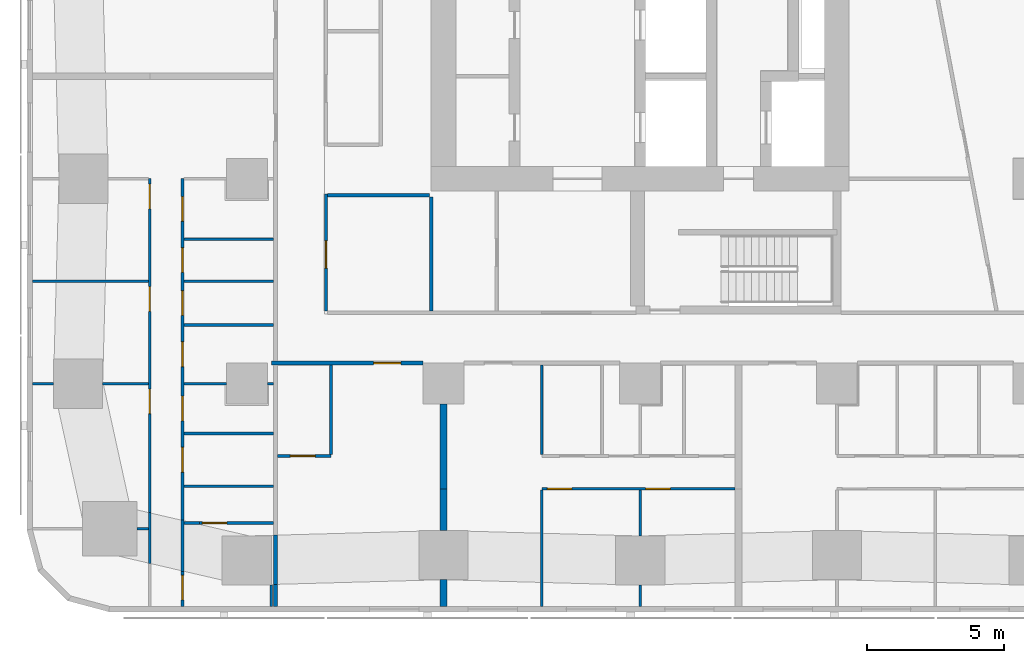
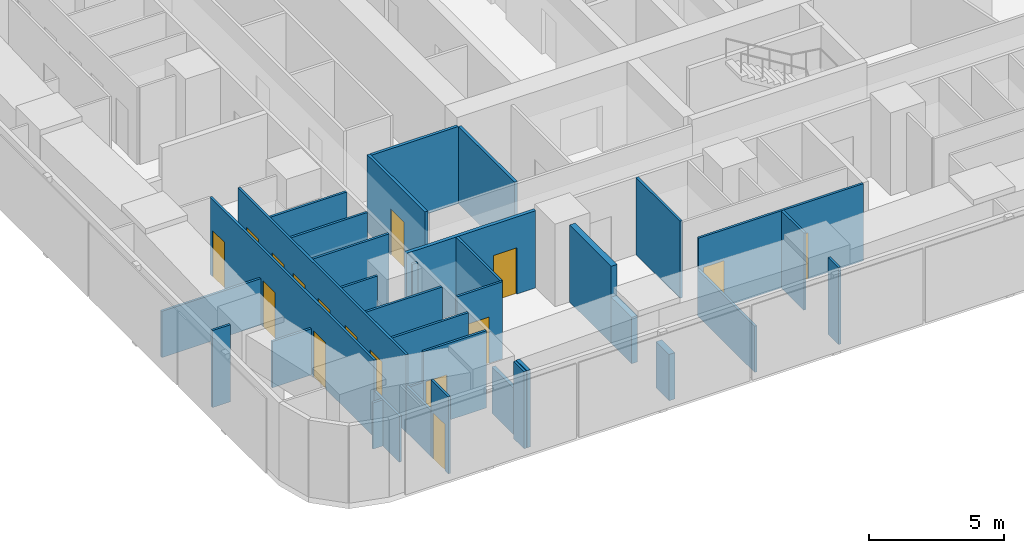
# One storey, part 2 of 15: 35 walls, 16 doors, 16 openings.
"""IFC4 building model written with IfcOpenShell, lengths in metres."""

from ifc_helpers import new_model, si_unit, direction, frame, frame_2d, origin, place, context, subcontext, project, spatial, rectangle, extrude, material, layer, layer_set, type_object, element, fill, save


model = new_model("IFC4")

# Units and contexts
model_context = context("Model", 3, precision=1e-05, world=origin(), true_north=direction((0.0, 1.0)))
body_context = subcontext(model_context, "Body", "Model", "MODEL_VIEW")
ifc_project = project(units=[si_unit("LENGTHUNIT", "METRE"), si_unit("AREAUNIT", "SQUARE_METRE"), si_unit("VOLUMEUNIT", "CUBIC_METRE"), si_unit("PLANEANGLEUNIT", "RADIAN"), si_unit("MASSUNIT", "GRAM", prefix="KILO")], contexts=[model_context])

# Site, building, storey
site_placement = place(None, origin())
site = spatial("IfcSite", under=ifc_project, at=site_placement, CompositionType="ELEMENT")
building_placement = place(site_placement, origin())
building = spatial("IfcBuilding", under=site, at=building_placement, Name="Sheger Commons Tower", CompositionType="ELEMENT")
storey_placement = place(building_placement, frame((0.0, 0.0, 147.050048828125)))
storey = spatial("IfcBuildingStorey", under=building, at=storey_placement, Name="L37", CompositionType="ELEMENT", Elevation=147.050048828125)

# Walls
ifc_material_1 = material(Name="Hollow concrete block masonry, skimmed both sides", Category="masonry")
ifc_layer_1 = layer(ifc_material_1, 0.14990234375)
ifc_layer_set_1 = layer_set([ifc_layer_1], Name="CORRIDOR WALL 150")
wall_type_1 = type_object("IfcWallType", Name="CORRIDOR WALL 150", PredefinedType="SOLIDWALL", material=ifc_layer_set_1)
wall_1_placement = place(storey_placement, frame((8.25, -0.64990234375, 0.0), z_axis=(0.0, 0.0, 1.0), x_axis=(0.0, 1.0, 0.0)))
element("IfcWall", 1, at=wall_1_placement, inside=storey, type_object=wall_type_1, Name="Corridor wall L37", PredefinedType="SOLIDWALL", context=body_context, shape_type="SweptSolid", body=[
    extrude(rectangle(XDim=0.802001953125, YDim=0.14990234375, at=frame_2d((0.40087890625, 0.0))), origin(), (0.0, 0.0, 1.0), 3.5),
])
wall_2_placement = place(storey_placement, frame((8.25, 0.152099609375, 0.0), z_axis=(0.0, 0.0, 1.0), x_axis=(0.0, 1.0, 0.0)))
element("IfcWall", 2, at=wall_2_placement, inside=storey, type_object=wall_type_1, Name="Corridor wall L37", PredefinedType="SOLIDWALL", context=body_context, shape_type="SweptSolid", body=[
    extrude(rectangle(XDim=1.804931640625, YDim=0.14990234375, at=frame_2d((0.90234375, 0.0))), origin(), (0.0, 0.0, 1.0), 2.099853515625),
])

# Wall, opening, door
wall_3_placement = place(storey_placement, frame((13.64892578125, 8.25, 0.0), z_axis=(0.0, 0.0, 1.0), x_axis=(-1.0, 0.0, 0.0)))
wall_3 = element("IfcWall", 3, at=wall_3_placement, inside=storey, type_object=wall_type_1, Name="Corridor wall L37", PredefinedType="SOLIDWALL", context=body_context, shape_type="SweptSolid", body=[
    extrude(rectangle(XDim=5.548828125, YDim=0.14990234375, at=frame_2d((2.7744140625, 0.0))), origin(), (0.0, 0.0, 1.0), 3.5),
])
opening_1_placement = place(wall_3_placement, frame((0.81005859375, 0.0, 0.0)))
opening_1 = element("IfcOpeningElement", 4, at=opening_1_placement, cuts=wall_3, Name="Opening D1", PredefinedType="OPENING", context=body_context, shape_type="SweptSolid", body=[
    extrude(rectangle(XDim=1.0, YDim=2.10009765625, at=frame_2d((0.5, 1.050048828125))), frame((0.0, 0.0849609375, 0.0), z_axis=(0.0, -1.0, 0.0), x_axis=(1.0, 0.0, 0.0)), (0.0, 0.0, 1.0), 0.169921875),
])
ifc_material_2 = material(Name="Steel door set, fire rated", Category="steel")
door_type_1 = type_object("IfcDoorType", Name="FLAT ENTRANCE DOOR 1000x2100", OperationType="NOTDEFINED", PredefinedType="DOOR", material=ifc_material_2)
door_1_placement = place(opening_1_placement, origin())
door_1 = element("IfcDoor", 5, at=door_1_placement, inside=storey, type_object=door_type_1, Name="Flat entrance door", OperationType="SINGLE_SWING_LEFT", OverallHeight=2.10009765625, OverallWidth=1.0, PredefinedType="DOOR", context=body_context, shape_type="SweptSolid", body=[
    extrude(rectangle(XDim=1.0, YDim=2.10009765625, at=frame_2d((0.5, 1.050048828125))), frame((0.0, 0.02490234375, 0.0), z_axis=(0.0, -1.0, 0.0), x_axis=(1.0, 0.0, 0.0)), (0.0, 0.0, 1.0), 0.050048828125),
])
fill(opening_1, door_1)

# Walls
ifc_material_3 = material(Name="Dense concrete block masonry, plastered both sides (separating wall between flats)", Category="masonry")
ifc_layer_2 = layer(ifc_material_3, 0.25)
ifc_layer_set_2 = layer_set([ifc_layer_2], Name="DEMISING WALL 250")
wall_type_2 = type_object("IfcWallType", Name="DEMISING WALL 250", PredefinedType="SOLIDWALL", material=ifc_layer_set_2)
wall_4_placement = place(storey_placement, frame((14.39990234375, -0.64990234375, 0.0), z_axis=(0.0, 0.0, 1.0), x_axis=(0.0, 1.0, 0.0)))
element("IfcWall", 6, at=wall_4_placement, inside=storey, type_object=wall_type_2, Name="Demising wall L37", PredefinedType="SOLIDWALL", context=body_context, shape_type="SweptSolid", body=[
    extrude(rectangle(XDim=0.973876953125, YDim=0.25, at=frame_2d((0.48681640625, 0.0))), origin(), (0.0, 0.0, 1.0), 2.099853515625),
])
wall_5_placement = place(storey_placement, frame((14.39990234375, 2.1259765625, 0.0), z_axis=(0.0, 0.0, 1.0), x_axis=(0.0, 1.0, 0.0)))
element("IfcWall", 7, at=wall_5_placement, inside=storey, type_object=wall_type_2, Name="Demising wall L37", PredefinedType="SOLIDWALL", context=body_context, shape_type="SweptSolid", body=[
    extrude(rectangle(XDim=1.52392578125, YDim=0.25, at=frame_2d((0.761962890625, 0.0))), origin(), (0.0, 0.0, 1.0), 2.099853515625),
])
wall_6_placement = place(storey_placement, frame((14.39990234375, 3.64990234375, 0.0), z_axis=(0.0, 0.0, 1.0), x_axis=(0.0, 1.0, 0.0)))
element("IfcWall", 8, at=wall_6_placement, inside=storey, type_object=wall_type_2, Name="Demising wall L37", PredefinedType="SOLIDWALL", context=body_context, shape_type="SweptSolid", body=[
    extrude(rectangle(XDim=3.09912109375, YDim=0.25, at=frame_2d((1.549560546875, 0.0))), origin(), (0.0, 0.0, 1.0), 3.5),
])
ifc_material_4 = material(Name="Gypsum board on steel studs", Category="steel")
ifc_layer_3 = layer(ifc_material_4, 0.10009765625)
ifc_layer_set_3 = layer_set([ifc_layer_3], Name="PARTITION 100")
wall_type_3 = type_object("IfcWallType", Name="PARTITION 100", PredefinedType="PARTITIONING", material=ifc_layer_set_3)
wall_7_placement = place(storey_placement, frame((8.10009765625, 0.1240234375, 0.0), z_axis=(0.0, 0.0, 1.0), x_axis=(0.0, -1.0, 0.0)))
element("IfcWall", 9, at=wall_7_placement, inside=storey, type_object=wall_type_3, Name="Partition L37", PredefinedType="PARTITIONING", context=body_context, shape_type="SweptSolid", body=[
    extrude(rectangle(XDim=0.77392578125, YDim=0.10009765625, at=frame_2d((0.386962890625, 0.0))), origin(), (0.0, 0.0, 1.0), 3.5),
])
wall_8_placement = place(storey_placement, frame((3.64990234375, 0.912109375, 0.0), z_axis=(0.0, 0.0, 1.0), x_axis=(0.0, 1.0, 0.0)))
element("IfcWall", 10, at=wall_8_placement, inside=storey, type_object=wall_type_3, Name="Partition L37", PredefinedType="PARTITIONING", context=body_context, shape_type="SweptSolid", body=[
    extrude(rectangle(XDim=1.869873046875, YDim=0.10009765625, at=frame_2d((0.93505859375, 0.0))), origin(), (0.0, 0.0, 1.0), 2.099853515625),
])

# Wall, openings, doors
wall_9_placement = place(storey_placement, frame((3.64990234375, 2.781982421875, 0.0), z_axis=(0.0, 0.0, 1.0), x_axis=(0.0, 1.0, 0.0)))
wall_9 = element("IfcWall", 11, at=wall_9_placement, inside=storey, type_object=wall_type_3, Name="Partition L37", PredefinedType="PARTITIONING", context=body_context, shape_type="SweptSolid", body=[
    extrude(rectangle(XDim=12.218017578125, YDim=0.10009765625, at=frame_2d((6.10888671875, 0.0))), origin(), (0.0, 0.0, 1.0), 3.5),
])
opening_2_placement = place(wall_9_placement, frame((11.117919921875, 0.0, 0.0)))
opening_2 = element("IfcOpeningElement", 12, at=opening_2_placement, cuts=wall_9, Name="Opening D2", PredefinedType="OPENING", context=body_context, shape_type="SweptSolid", body=[
    extrude(rectangle(XDim=0.89990234375, YDim=2.10009765625, at=frame_2d((0.449951171875, 1.050048828125))), frame((0.0, 0.06005859375, 0.0), z_axis=(0.0, -1.0, 0.0), x_axis=(1.0, 0.0, 0.0)), (0.0, 0.0, 1.0), 0.1201171875),
])
opening_3_placement = place(wall_9_placement, frame((7.367919921875, 0.0, 0.0)))
opening_3 = element("IfcOpeningElement", 13, at=opening_3_placement, cuts=wall_9, Name="Opening D2", PredefinedType="OPENING", context=body_context, shape_type="SweptSolid", body=[
    extrude(rectangle(XDim=0.89990234375, YDim=2.10009765625, at=frame_2d((0.449951171875, 1.050048828125))), frame((0.0, 0.06005859375, 0.0), z_axis=(0.0, -1.0, 0.0), x_axis=(1.0, 0.0, 0.0)), (0.0, 0.0, 1.0), 0.1201171875),
])
opening_4_placement = place(wall_9_placement, frame((3.617919921875, 0.0, 0.0)))
opening_4 = element("IfcOpeningElement", 14, at=opening_4_placement, cuts=wall_9, Name="Opening D2", PredefinedType="OPENING", context=body_context, shape_type="SweptSolid", body=[
    extrude(rectangle(XDim=0.89990234375, YDim=2.10009765625, at=frame_2d((0.449951171875, 1.050048828125))), frame((0.0, 0.06005859375, 0.0), z_axis=(0.0, -1.0, 0.0), x_axis=(1.0, 0.0, 0.0)), (0.0, 0.0, 1.0), 0.1201171875),
])
ifc_material_5 = material(Name="Timber door set", Category="wood")
door_type_2 = type_object("IfcDoorType", Name="INTERNAL DOOR 900x2100", OperationType="NOTDEFINED", PredefinedType="DOOR", material=ifc_material_5)
door_2_placement = place(opening_2_placement, origin())
door_2 = element("IfcDoor", 15, at=door_2_placement, inside=storey, type_object=door_type_2, Name="Main bedroom door", OperationType="SINGLE_SWING_RIGHT", OverallHeight=2.10009765625, OverallWidth=0.89990234375, PredefinedType="DOOR", context=body_context, shape_type="SweptSolid", body=[
    extrude(rectangle(XDim=0.89990234375, YDim=2.10009765625, at=frame_2d((0.449951171875, 1.050048828125))), frame((0.0, 0.02490234375, 0.0), z_axis=(0.0, -1.0, 0.0), x_axis=(1.0, 0.0, 0.0)), (0.0, 0.0, 1.0), 0.050048828125),
])
fill(opening_2, door_2)
door_3_placement = place(opening_3_placement, origin())
door_3 = element("IfcDoor", 16, at=door_3_placement, inside=storey, type_object=door_type_2, Name="Bedroom 2 door", OperationType="SINGLE_SWING_RIGHT", OverallHeight=2.10009765625, OverallWidth=0.89990234375, PredefinedType="DOOR", context=body_context, shape_type="SweptSolid", body=[
    extrude(rectangle(XDim=0.89990234375, YDim=2.10009765625, at=frame_2d((0.449951171875, 1.050048828125))), frame((0.0, 0.02490234375, 0.0), z_axis=(0.0, -1.0, 0.0), x_axis=(1.0, 0.0, 0.0)), (0.0, 0.0, 1.0), 0.050048828125),
])
fill(opening_3, door_3)
door_4_placement = place(opening_4_placement, origin())
door_4 = element("IfcDoor", 17, at=door_4_placement, inside=storey, type_object=door_type_2, Name="Bedroom 3 door", OperationType="SINGLE_SWING_RIGHT", OverallHeight=2.10009765625, OverallWidth=0.89990234375, PredefinedType="DOOR", context=body_context, shape_type="SweptSolid", body=[
    extrude(rectangle(XDim=0.89990234375, YDim=2.10009765625, at=frame_2d((0.449951171875, 1.050048828125))), frame((0.0, 0.02490234375, 0.0), z_axis=(0.0, -1.0, 0.0), x_axis=(1.0, 0.0, 0.0)), (0.0, 0.0, 1.0), 0.050048828125),
])
fill(opening_4, door_4)

# Wall, opening, door
wall_10_placement = place(storey_placement, frame((4.85009765625, -0.64990234375, 0.0), z_axis=(0.0, 0.0, 1.0), x_axis=(0.0, 1.0, 0.0)))
wall_10 = element("IfcWall", 18, at=wall_10_placement, inside=storey, type_object=wall_type_3, Name="Partition L37", PredefinedType="PARTITIONING", context=body_context, shape_type="SweptSolid", body=[
    extrude(rectangle(XDim=1.283935546875, YDim=0.10009765625, at=frame_2d((0.64208984375, 0.0))), origin(), (0.0, 0.0, 1.0), 3.5),
])
opening_5_placement = place(wall_10_placement, frame((0.23388671875, 0.0, 0.0)))
opening_5 = element("IfcOpeningElement", 19, at=opening_5_placement, cuts=wall_10, Name="Opening D2", PredefinedType="OPENING", context=body_context, shape_type="SweptSolid", body=[
    extrude(rectangle(XDim=0.89990234375, YDim=2.10009765625, at=frame_2d((0.449951171875, 1.050048828125))), frame((0.0, 0.06005859375, 0.0), z_axis=(0.0, -1.0, 0.0), x_axis=(1.0, 0.0, 0.0)), (0.0, 0.0, 1.0), 0.1201171875),
])
door_5_placement = place(opening_5_placement, origin())
door_5 = element("IfcDoor", 20, at=door_5_placement, inside=storey, type_object=door_type_2, Name="Store and laundry door", OperationType="SINGLE_SWING_LEFT", OverallHeight=2.10009765625, OverallWidth=0.89990234375, PredefinedType="DOOR", context=body_context, shape_type="SweptSolid", body=[
    extrude(rectangle(XDim=0.89990234375, YDim=2.10009765625, at=frame_2d((0.449951171875, 1.050048828125))), frame((0.0, 0.02490234375, 0.0), z_axis=(0.0, -1.0, 0.0), x_axis=(1.0, 0.0, 0.0)), (0.0, 0.0, 1.0), 0.050048828125),
])
fill(opening_5, door_5)

# Wall
wall_11_placement = place(storey_placement, frame((4.85009765625, 0.634033203125, 0.0), z_axis=(0.0, 0.0, 1.0), x_axis=(0.0, 1.0, 0.0)))
element("IfcWall", 21, at=wall_11_placement, inside=storey, type_object=wall_type_3, Name="Partition L37", PredefinedType="PARTITIONING", context=body_context, shape_type="SweptSolid", body=[
    extrude(rectangle(XDim=1.870849609375, YDim=0.10009765625, at=frame_2d((0.935546875, 0.0))), origin(), (0.0, 0.0, 1.0), 2.099853515625),
])

# Wall, openings, doors
wall_12_placement = place(storey_placement, frame((4.85009765625, 2.5048828125, 0.0), z_axis=(0.0, 0.0, 1.0), x_axis=(0.0, 1.0, 0.0)))
wall_12 = element("IfcWall", 22, at=wall_12_placement, inside=storey, type_object=wall_type_3, Name="Partition L37", PredefinedType="PARTITIONING", context=body_context, shape_type="SweptSolid", body=[
    extrude(rectangle(XDim=12.4951171875, YDim=0.10009765625, at=frame_2d((6.24755859375, 0.0))), origin(), (0.0, 0.0, 1.0), 3.5),
])
opening_6_placement = place(wall_12_placement, frame((10.93994140625, 0.0, 0.0)))
opening_6 = element("IfcOpeningElement", 23, at=opening_6_placement, cuts=wall_12, Name="Opening D2", PredefinedType="OPENING", context=body_context, shape_type="SweptSolid", body=[
    extrude(rectangle(XDim=0.89990234375, YDim=2.10009765625, at=frame_2d((0.449951171875, 1.050048828125))), frame((0.0, 0.06005859375, 0.0), z_axis=(0.0, -1.0, 0.0), x_axis=(1.0, 0.0, 0.0)), (0.0, 0.0, 1.0), 0.1201171875),
])
opening_7_placement = place(wall_12_placement, frame((7.4951171875, 0.0, 0.0)))
opening_7 = element("IfcOpeningElement", 24, at=opening_7_placement, cuts=wall_12, Name="Opening D2", PredefinedType="OPENING", context=body_context, shape_type="SweptSolid", body=[
    extrude(rectangle(XDim=0.89990234375, YDim=2.10009765625, at=frame_2d((0.449951171875, 1.050048828125))), frame((0.0, 0.06005859375, 0.0), z_axis=(0.0, -1.0, 0.0), x_axis=(1.0, 0.0, 0.0)), (0.0, 0.0, 1.0), 0.1201171875),
])
opening_8_placement = place(wall_12_placement, frame((3.635009765625, 0.0, 0.0)))
opening_8 = element("IfcOpeningElement", 25, at=opening_8_placement, cuts=wall_12, Name="Opening D2", PredefinedType="OPENING", context=body_context, shape_type="SweptSolid", body=[
    extrude(rectangle(XDim=0.89990234375, YDim=2.10009765625, at=frame_2d((0.449951171875, 1.050048828125))), frame((0.0, 0.06005859375, 0.0), z_axis=(0.0, -1.0, 0.0), x_axis=(1.0, 0.0, 0.0)), (0.0, 0.0, 1.0), 0.1201171875),
])
opening_9_placement = place(wall_12_placement, frame((9.06494140625, 0.0, 0.0)))
opening_9 = element("IfcOpeningElement", 26, at=opening_9_placement, cuts=wall_12, Name="Opening D2", PredefinedType="OPENING", context=body_context, shape_type="SweptSolid", body=[
    extrude(rectangle(XDim=0.89990234375, YDim=2.10009765625, at=frame_2d((0.449951171875, 1.050048828125))), frame((0.0, 0.06005859375, 0.0), z_axis=(0.0, -1.0, 0.0), x_axis=(1.0, 0.0, 0.0)), (0.0, 0.0, 1.0), 0.1201171875),
])
opening_10_placement = place(wall_12_placement, frame((5.6201171875, 0.0, 0.0)))
opening_10 = element("IfcOpeningElement", 27, at=opening_10_placement, cuts=wall_12, Name="Opening D2", PredefinedType="OPENING", context=body_context, shape_type="SweptSolid", body=[
    extrude(rectangle(XDim=0.89990234375, YDim=2.10009765625, at=frame_2d((0.449951171875, 1.050048828125))), frame((0.0, 0.06005859375, 0.0), z_axis=(0.0, -1.0, 0.0), x_axis=(1.0, 0.0, 0.0)), (0.0, 0.0, 1.0), 0.1201171875),
])
opening_11_placement = place(wall_12_placement, frame((1.760009765625, 0.0, 0.0)))
opening_11 = element("IfcOpeningElement", 28, at=opening_11_placement, cuts=wall_12, Name="Opening D2", PredefinedType="OPENING", context=body_context, shape_type="SweptSolid", body=[
    extrude(rectangle(XDim=0.89990234375, YDim=2.10009765625, at=frame_2d((0.449951171875, 1.050048828125))), frame((0.0, 0.06005859375, 0.0), z_axis=(0.0, -1.0, 0.0), x_axis=(1.0, 0.0, 0.0)), (0.0, 0.0, 1.0), 0.1201171875),
])
door_6_placement = place(opening_6_placement, origin())
door_6 = element("IfcDoor", 29, at=door_6_placement, inside=storey, type_object=door_type_2, Name="Bathroom door", OperationType="SINGLE_SWING_LEFT", OverallHeight=2.10009765625, OverallWidth=0.89990234375, PredefinedType="DOOR", context=body_context, shape_type="SweptSolid", body=[
    extrude(rectangle(XDim=0.89990234375, YDim=2.10009765625, at=frame_2d((0.449951171875, 1.050048828125))), frame((0.0, 0.02490234375, 0.0), z_axis=(0.0, -1.0, 0.0), x_axis=(1.0, 0.0, 0.0)), (0.0, 0.0, 1.0), 0.050048828125),
])
fill(opening_6, door_6)
door_7_placement = place(opening_7_placement, origin())
door_7 = element("IfcDoor", 30, at=door_7_placement, inside=storey, type_object=door_type_2, Name="Shower room door", OperationType="SINGLE_SWING_RIGHT", OverallHeight=2.10009765625, OverallWidth=0.89990234375, PredefinedType="DOOR", context=body_context, shape_type="SweptSolid", body=[
    extrude(rectangle(XDim=0.89990234375, YDim=2.10009765625, at=frame_2d((0.449951171875, 1.050048828125))), frame((0.0, 0.02490234375, 0.0), z_axis=(0.0, -1.0, 0.0), x_axis=(1.0, 0.0, 0.0)), (0.0, 0.0, 1.0), 0.050048828125),
])
fill(opening_7, door_7)
door_8_placement = place(opening_8_placement, origin())
door_8 = element("IfcDoor", 31, at=door_8_placement, inside=storey, type_object=door_type_2, Name="Laundry room door", OperationType="SINGLE_SWING_RIGHT", OverallHeight=2.10009765625, OverallWidth=0.89990234375, PredefinedType="DOOR", context=body_context, shape_type="SweptSolid", body=[
    extrude(rectangle(XDim=0.89990234375, YDim=2.10009765625, at=frame_2d((0.449951171875, 1.050048828125))), frame((0.0, 0.02490234375, 0.0), z_axis=(0.0, -1.0, 0.0), x_axis=(1.0, 0.0, 0.0)), (0.0, 0.0, 1.0), 0.050048828125),
])
fill(opening_8, door_8)
door_9_placement = place(opening_9_placement, origin())
door_9 = element("IfcDoor", 32, at=door_9_placement, inside=storey, type_object=door_type_2, Name="Store door", OperationType="SINGLE_SWING_LEFT", OverallHeight=2.10009765625, OverallWidth=0.89990234375, PredefinedType="DOOR", context=body_context, shape_type="SweptSolid", body=[
    extrude(rectangle(XDim=0.89990234375, YDim=2.10009765625, at=frame_2d((0.449951171875, 1.050048828125))), frame((0.0, 0.02490234375, 0.0), z_axis=(0.0, -1.0, 0.0), x_axis=(1.0, 0.0, 0.0)), (0.0, 0.0, 1.0), 0.050048828125),
])
fill(opening_9, door_9)
door_10_placement = place(opening_10_placement, origin())
door_10 = element("IfcDoor", 33, at=door_10_placement, inside=storey, type_object=door_type_2, Name="Store door", OperationType="SINGLE_SWING_LEFT", OverallHeight=2.10009765625, OverallWidth=0.89990234375, PredefinedType="DOOR", context=body_context, shape_type="SweptSolid", body=[
    extrude(rectangle(XDim=0.89990234375, YDim=2.10009765625, at=frame_2d((0.449951171875, 1.050048828125))), frame((0.0, 0.02490234375, 0.0), z_axis=(0.0, -1.0, 0.0), x_axis=(1.0, 0.0, 0.0)), (0.0, 0.0, 1.0), 0.050048828125),
])
fill(opening_10, door_10)
door_11_placement = place(opening_11_placement, origin())
door_11 = element("IfcDoor", 34, at=door_11_placement, inside=storey, type_object=door_type_2, Name="Store door", OperationType="SINGLE_SWING_LEFT", OverallHeight=2.10009765625, OverallWidth=0.89990234375, PredefinedType="DOOR", context=body_context, shape_type="SweptSolid", body=[
    extrude(rectangle(XDim=0.89990234375, YDim=2.10009765625, at=frame_2d((0.449951171875, 1.050048828125))), frame((0.0, 0.02490234375, 0.0), z_axis=(0.0, -1.0, 0.0), x_axis=(1.0, 0.0, 0.0)), (0.0, 0.0, 1.0), 0.050048828125),
])
fill(opening_11, door_11)

# Walls
wall_13_placement = place(storey_placement, frame((3.18701171875, 2.18603515625, 0.0), z_axis=(0.0, 0.0, 1.0), x_axis=(1.0, 0.0, 0.0)))
element("IfcWall", 35, at=wall_13_placement, inside=storey, type_object=wall_type_3, Name="Partition L37", PredefinedType="PARTITIONING", context=body_context, shape_type="SweptSolid", body=[
    extrude(rectangle(XDim=0.4130859375, YDim=0.10009765625, at=frame_2d((0.20654296875, 0.0))), origin(), (0.0, 0.0, 1.0), 2.099853515625),
])
wall_14_placement = place(storey_placement, frame((-0.64990234375, 7.5, 0.0), z_axis=(0.0, 0.0, 1.0), x_axis=(1.0, 0.0, 0.0)))
element("IfcWall", 36, at=wall_14_placement, inside=storey, type_object=wall_type_3, Name="Partition L37", PredefinedType="PARTITIONING", context=body_context, shape_type="SweptSolid", body=[
    extrude(rectangle(XDim=0.77392578125, YDim=0.10009765625, at=frame_2d((0.386962890625, 0.0))), origin(), (0.0, 0.0, 1.0), 3.5),
])
wall_15_placement = place(storey_placement, frame((1.926025390625, 7.5, 0.0), z_axis=(0.0, 0.0, 1.0), x_axis=(1.0, 0.0, 0.0)))
element("IfcWall", 37, at=wall_15_placement, inside=storey, type_object=wall_type_3, Name="Partition L37", PredefinedType="PARTITIONING", context=body_context, shape_type="SweptSolid", body=[
    extrude(rectangle(XDim=1.674072265625, YDim=0.10009765625, at=frame_2d((0.8369140625, 0.0))), origin(), (0.0, 0.0, 1.0), 2.099853515625),
])
wall_16_placement = place(storey_placement, frame((-0.64990234375, 11.25, 0.0), z_axis=(0.0, 0.0, 1.0), x_axis=(1.0, 0.0, 0.0)))
element("IfcWall", 38, at=wall_16_placement, inside=storey, type_object=wall_type_3, Name="Partition L37", PredefinedType="PARTITIONING", context=body_context, shape_type="SweptSolid", body=[
    extrude(rectangle(XDim=4.25, YDim=0.10009765625, at=frame_2d((2.125, 0.0))), origin(), (0.0, 0.0, 1.0), 2.099853515625),
])
wall_17_placement = place(storey_placement, frame((4.89990234375, 3.75, 0.0), z_axis=(0.0, 0.0, 1.0), x_axis=(1.0, 0.0, 0.0)))
element("IfcWall", 39, at=wall_17_placement, inside=storey, type_object=wall_type_3, Name="Partition L37", PredefinedType="PARTITIONING", context=body_context, shape_type="SweptSolid", body=[
    extrude(rectangle(XDim=3.275146484375, YDim=0.10009765625, at=frame_2d((1.6376953125, 0.0))), origin(), (0.0, 0.0, 1.0), 3.5),
])
wall_18_placement = place(storey_placement, frame((4.89990234375, 7.5, 0.0), z_axis=(0.0, 0.0, 1.0), x_axis=(1.0, 0.0, 0.0)))
element("IfcWall", 40, at=wall_18_placement, inside=storey, type_object=wall_type_3, Name="Partition L37", PredefinedType="PARTITIONING", context=body_context, shape_type="SweptSolid", body=[
    extrude(rectangle(XDim=1.549072265625, YDim=0.10009765625, at=frame_2d((0.7744140625, 0.0))), origin(), (0.0, 0.0, 1.0), 3.5),
])
wall_19_placement = place(storey_placement, frame((7.950927734375, 7.5, 0.0), z_axis=(0.0, 0.0, 1.0), x_axis=(1.0, 0.0, 0.0)))
element("IfcWall", 41, at=wall_19_placement, inside=storey, type_object=wall_type_3, Name="Partition L37", PredefinedType="PARTITIONING", context=body_context, shape_type="SweptSolid", body=[
    extrude(rectangle(XDim=0.22412109375, YDim=0.10009765625, at=frame_2d((0.112060546875, 0.0))), origin(), (0.0, 0.0, 1.0), 3.5),
])
for number, where, z_axis, x_axis, name in (
    (42, (4.89990234375, 11.25, 0.0), (0.0, 0.0, 1.0), (1.0, 0.0, 0.0), "Partition L37"),
    (43, (4.89990234375, 12.7900390625, 0.0), (0.0, 0.0, 1.0), (1.0, 0.0, 0.0), "Partition L37"),
    (44, (4.89990234375, 9.64990234375, 0.0), (0.0, 0.0, 1.0), (1.0, 0.0, 0.0), "Partition L37"),
    (45, (4.89990234375, 5.679931640625, 0.0), (0.0, 0.0, 1.0), (1.0, 0.0, 0.0), "Partition L37"),
):
    element("IfcWall", number, at=place(storey_placement, frame(where, z_axis=z_axis, x_axis=x_axis)), inside=storey, type_object=wall_type_3, Name=name, PredefinedType="PARTITIONING", context=body_context, shape_type="SweptSolid", body=[
        extrude(rectangle(XDim=3.275146484375, YDim=0.10009765625, at=frame_2d((1.6376953125, 0.0))), origin(), (0.0, 0.0, 1.0), 3.5),
    ])

# Wall, opening, door
wall_20_placement = place(storey_placement, frame((10.279052734375, 4.85009765625, 0.0), z_axis=(0.0, 0.0, 1.0), x_axis=(-1.0, 0.0, 0.0)))
wall_20 = element("IfcWall", 46, at=wall_20_placement, inside=storey, type_object=wall_type_3, Name="Partition L37", PredefinedType="PARTITIONING", context=body_context, shape_type="SweptSolid", body=[
    extrude(rectangle(XDim=1.9541015625, YDim=0.10009765625, at=frame_2d((0.97705078125, 0.0))), origin(), (0.0, 0.0, 1.0), 3.5),
])
opening_12_placement = place(wall_20_placement, frame((0.5791015625, 0.0, 0.0)))
opening_12 = element("IfcOpeningElement", 47, at=opening_12_placement, cuts=wall_20, Name="Opening D2", PredefinedType="OPENING", context=body_context, shape_type="SweptSolid", body=[
    extrude(rectangle(XDim=0.89990234375, YDim=2.10009765625, at=frame_2d((0.449951171875, 1.050048828125))), frame((0.0, 0.06005859375, 0.0), z_axis=(0.0, -1.0, 0.0), x_axis=(1.0, 0.0, 0.0)), (0.0, 0.0, 1.0), 0.1201171875),
])
door_12_placement = place(opening_12_placement, origin())
door_12 = element("IfcDoor", 48, at=door_12_placement, inside=storey, type_object=door_type_2, Name="Shower room door", OperationType="SINGLE_SWING_LEFT", OverallHeight=2.10009765625, OverallWidth=0.89990234375, PredefinedType="DOOR", context=body_context, shape_type="SweptSolid", body=[
    extrude(rectangle(XDim=0.89990234375, YDim=2.10009765625, at=frame_2d((0.449951171875, 1.050048828125))), frame((0.0, 0.02490234375, 0.0), z_axis=(0.0, -1.0, 0.0), x_axis=(1.0, 0.0, 0.0)), (0.0, 0.0, 1.0), 0.050048828125),
])
fill(opening_12, door_12)

# Wall
wall_21_placement = place(storey_placement, frame((10.279052734375, 4.89990234375, 0.0), z_axis=(0.0, 0.0, 1.0), x_axis=(0.0, 1.0, 0.0)))
element("IfcWall", 49, at=wall_21_placement, inside=storey, type_object=wall_type_3, Name="Partition L37", PredefinedType="PARTITIONING", context=body_context, shape_type="SweptSolid", body=[
    extrude(rectangle(XDim=3.275146484375, YDim=0.10009765625, at=frame_2d((1.6376953125, 0.0))), origin(), (0.0, 0.0, 1.0), 3.5),
])

# Wall, openings, doors
wall_22_placement = place(storey_placement, frame((25.074951171875, 3.64990234375, 0.0), z_axis=(0.0, 0.0, 1.0), x_axis=(-1.0, 0.0, 0.0)))
wall_22 = element("IfcWall", 50, at=wall_22_placement, inside=storey, type_object=wall_type_3, Name="Partition L37", PredefinedType="PARTITIONING", context=body_context, shape_type="SweptSolid", body=[
    extrude(rectangle(XDim=7.074951171875, YDim=0.10009765625, at=frame_2d((3.53759765625, 0.0))), origin(), (0.0, 0.0, 1.0), 3.5),
])
opening_13_placement = place(wall_22_placement, frame((5.97509765625, 0.0, 0.0)))
opening_13 = element("IfcOpeningElement", 51, at=opening_13_placement, cuts=wall_22, Name="Opening D2", PredefinedType="OPENING", context=body_context, shape_type="SweptSolid", body=[
    extrude(rectangle(XDim=0.89990234375, YDim=2.10009765625, at=frame_2d((0.449951171875, 1.050048828125))), frame((0.0, 0.06005859375, 0.0), z_axis=(0.0, -1.0, 0.0), x_axis=(1.0, 0.0, 0.0)), (0.0, 0.0, 1.0), 0.1201171875),
])
opening_14_placement = place(wall_22_placement, frame((2.375, 0.0, 0.0)))
opening_14 = element("IfcOpeningElement", 52, at=opening_14_placement, cuts=wall_22, Name="Opening D2", PredefinedType="OPENING", context=body_context, shape_type="SweptSolid", body=[
    extrude(rectangle(XDim=0.89990234375, YDim=2.10009765625, at=frame_2d((0.449951171875, 1.050048828125))), frame((0.0, 0.06005859375, 0.0), z_axis=(0.0, -1.0, 0.0), x_axis=(1.0, 0.0, 0.0)), (0.0, 0.0, 1.0), 0.1201171875),
])
door_13_placement = place(opening_13_placement, origin())
door_13 = element("IfcDoor", 53, at=door_13_placement, inside=storey, type_object=door_type_2, Name="Main bedroom door", OperationType="SINGLE_SWING_RIGHT", OverallHeight=2.10009765625, OverallWidth=0.89990234375, PredefinedType="DOOR", context=body_context, shape_type="SweptSolid", body=[
    extrude(rectangle(XDim=0.89990234375, YDim=2.10009765625, at=frame_2d((0.449951171875, 1.050048828125))), frame((0.0, 0.02490234375, 0.0), z_axis=(0.0, -1.0, 0.0), x_axis=(1.0, 0.0, 0.0)), (0.0, 0.0, 1.0), 0.050048828125),
])
fill(opening_13, door_13)
door_14_placement = place(opening_14_placement, origin())
door_14 = element("IfcDoor", 54, at=door_14_placement, inside=storey, type_object=door_type_2, Name="Bedroom 2 door", OperationType="SINGLE_SWING_RIGHT", OverallHeight=2.10009765625, OverallWidth=0.89990234375, PredefinedType="DOOR", context=body_context, shape_type="SweptSolid", body=[
    extrude(rectangle(XDim=0.89990234375, YDim=2.10009765625, at=frame_2d((0.449951171875, 1.050048828125))), frame((0.0, 0.02490234375, 0.0), z_axis=(0.0, -1.0, 0.0), x_axis=(1.0, 0.0, 0.0)), (0.0, 0.0, 1.0), 0.050048828125),
])
fill(opening_14, door_14)

# Walls
wall_23_placement = place(storey_placement, frame((18.0, -0.64990234375, 0.0), z_axis=(0.0, 0.0, 1.0), x_axis=(0.0, 1.0, 0.0)))
element("IfcWall", 55, at=wall_23_placement, inside=storey, type_object=wall_type_3, Name="Partition L37", PredefinedType="PARTITIONING", context=body_context, shape_type="SweptSolid", body=[
    extrude(rectangle(XDim=4.25, YDim=0.10009765625, at=frame_2d((2.125, 0.0))), origin(), (0.0, 0.0, 1.0), 2.099853515625),
])
wall_24_placement = place(storey_placement, frame((21.60009765625, -0.64990234375, 0.0), z_axis=(0.0, 0.0, 1.0), x_axis=(0.0, 1.0, 0.0)))
element("IfcWall", 56, at=wall_24_placement, inside=storey, type_object=wall_type_3, Name="Partition L37", PredefinedType="PARTITIONING", context=body_context, shape_type="SweptSolid", body=[
    extrude(rectangle(XDim=0.77392578125, YDim=0.10009765625, at=frame_2d((0.386962890625, 0.0))), origin(), (0.0, 0.0, 1.0), 3.5),
])
wall_25_placement = place(storey_placement, frame((21.60009765625, 1.926025390625, 0.0), z_axis=(0.0, 0.0, 1.0), x_axis=(0.0, 1.0, 0.0)))
element("IfcWall", 57, at=wall_25_placement, inside=storey, type_object=wall_type_3, Name="Partition L37", PredefinedType="PARTITIONING", context=body_context, shape_type="SweptSolid", body=[
    extrude(rectangle(XDim=1.674072265625, YDim=0.10009765625, at=frame_2d((0.8369140625, 0.0))), origin(), (0.0, 0.0, 1.0), 3.5),
])
wall_26_placement = place(storey_placement, frame((18.0, 4.89990234375, 0.0), z_axis=(0.0, 0.0, 1.0), x_axis=(0.0, 1.0, 0.0)))
element("IfcWall", 58, at=wall_26_placement, inside=storey, type_object=wall_type_3, Name="Partition L37", PredefinedType="PARTITIONING", context=body_context, shape_type="SweptSolid", body=[
    extrude(rectangle(XDim=3.275146484375, YDim=0.10009765625, at=frame_2d((1.6376953125, 0.0))), origin(), (0.0, 0.0, 1.0), 3.5),
])

# Wall, opening, door
wall_27_placement = place(storey_placement, frame((5.467041015625, 2.39990234375, 0.0), z_axis=(0.0, 0.0, 1.0), x_axis=(1.0, 0.0, 0.0)))
wall_27 = element("IfcWall", 59, at=wall_27_placement, inside=storey, type_object=wall_type_3, Name="Partition L37", PredefinedType="PARTITIONING", context=body_context, shape_type="SweptSolid", body=[
    extrude(rectangle(XDim=2.7080078125, YDim=0.10009765625, at=frame_2d((1.35400390625, 0.0))), origin(), (0.0, 0.0, 1.0), 3.5),
])
opening_15_placement = place(wall_27_placement, frame((0.10791015625, 0.0, 0.0)))
opening_15 = element("IfcOpeningElement", 60, at=opening_15_placement, cuts=wall_27, Name="Opening D2", PredefinedType="OPENING", context=body_context, shape_type="SweptSolid", body=[
    extrude(rectangle(XDim=0.89990234375, YDim=2.10009765625, at=frame_2d((0.449951171875, 1.050048828125))), frame((0.0, 0.06005859375, 0.0), z_axis=(0.0, -1.0, 0.0), x_axis=(1.0, 0.0, 0.0)), (0.0, 0.0, 1.0), 0.1201171875),
])
door_15_placement = place(opening_15_placement, origin())
door_15 = element("IfcDoor", 61, at=door_15_placement, inside=storey, type_object=door_type_2, Name="Store door", OperationType="SINGLE_SWING_LEFT", OverallHeight=2.10009765625, OverallWidth=0.89990234375, PredefinedType="DOOR", context=body_context, shape_type="SweptSolid", body=[
    extrude(rectangle(XDim=0.89990234375, YDim=2.10009765625, at=frame_2d((0.449951171875, 1.050048828125))), frame((0.0, 0.02490234375, 0.0), z_axis=(0.0, -1.0, 0.0), x_axis=(1.0, 0.0, 0.0)), (0.0, 0.0, 1.0), 0.050048828125),
])
fill(opening_15, door_15)

# Wall
wall_28_placement = place(storey_placement, frame((5.467041015625, 2.39990234375, 0.0), z_axis=(0.0, 0.0, 1.0), x_axis=(-1.0, 0.0, 0.0)))
element("IfcWall", 62, at=wall_28_placement, inside=storey, type_object=wall_type_3, Name="Partition L37", PredefinedType="PARTITIONING", context=body_context, shape_type="SweptSolid", body=[
    extrude(rectangle(XDim=0.567138671875, YDim=0.10009765625, at=frame_2d((0.28369140625, 0.0))), origin(), (0.0, 0.0, 1.0), 2.099853515625),
])

# Wall, opening, door
ifc_material_6 = material(Name="Gypsum board on steel studs, two layers each side, fire rated", Category="steel")
ifc_layer_4 = layer(ifc_material_6, 0.125)
ifc_layer_set_4 = layer_set([ifc_layer_4], Name="SERVICE WALL 125")
wall_type_4 = type_object("IfcWallType", Name="SERVICE WALL 125", PredefinedType="PARTITIONING", material=ifc_layer_set_4)
wall_29_placement = place(storey_placement, frame((10.10009765625, 10.162109375, 0.0), z_axis=(0.0, 0.0, 1.0), x_axis=(0.0, 1.0, 0.0)))
wall_29 = element("IfcWall", 63, at=wall_29_placement, inside=storey, type_object=wall_type_4, Name="Service room wall L37", PredefinedType="PARTITIONING", context=body_context, shape_type="SweptSolid", body=[
    extrude(rectangle(XDim=4.287841796875, YDim=0.125, at=frame_2d((2.14404296875, 0.0))), origin(), (0.0, 0.0, 1.0), 3.5),
])
opening_16_placement = place(wall_29_placement, frame((1.56298828125, 0.0, 0.0)))
opening_16 = element("IfcOpeningElement", 64, at=opening_16_placement, cuts=wall_29, Name="Opening D4", PredefinedType="OPENING", context=body_context, shape_type="SweptSolid", body=[
    extrude(rectangle(XDim=1.0, YDim=2.10009765625, at=frame_2d((0.5, 1.050048828125))), frame((0.0, 0.072509765625, 0.0), z_axis=(0.0, -1.0, 0.0), x_axis=(1.0, 0.0, 0.0)), (0.0, 0.0, 1.0), 0.14501953125),
])
ifc_material_7 = material(Name="Steel door set, fire rated", Category="steel")
door_type_3 = type_object("IfcDoorType", Name="SERVICE DOOR 1000x2100", OperationType="NOTDEFINED", PredefinedType="DOOR", material=ifc_material_7)
door_16_placement = place(opening_16_placement, origin())
door_16 = element("IfcDoor", 65, at=door_16_placement, inside=storey, type_object=door_type_3, Name="Refuse chute room door", OperationType="SINGLE_SWING_RIGHT", OverallHeight=2.10009765625, OverallWidth=1.0, PredefinedType="DOOR", context=body_context, shape_type="SweptSolid", body=[
    extrude(rectangle(XDim=1.0, YDim=2.10009765625, at=frame_2d((0.5, 1.050048828125))), frame((0.0, 0.02490234375, 0.0), z_axis=(0.0, -1.0, 0.0), x_axis=(1.0, 0.0, 0.0)), (0.0, 0.0, 1.0), 0.050048828125),
])
fill(opening_16, door_16)

# Walls
wall_30_placement = place(storey_placement, frame((10.162109375, 14.39990234375, 0.0), z_axis=(0.0, 0.0, 1.0), x_axis=(1.0, 0.0, 0.0)))
element("IfcWall", 66, at=wall_30_placement, inside=storey, type_object=wall_type_4, Name="Service room wall L37", PredefinedType="PARTITIONING", context=body_context, shape_type="SweptSolid", body=[
    extrude(rectangle(XDim=3.725830078125, YDim=0.125, at=frame_2d((1.86279296875, 0.0))), origin(), (0.0, 0.0, 1.0), 3.5),
])
wall_31_placement = place(storey_placement, frame((13.949951171875, 10.1630859375, 0.0), z_axis=(0.0, 0.0, 1.0), x_axis=(0.0, 1.0, 0.0)))
element("IfcWall", 67, at=wall_31_placement, inside=storey, type_object=wall_type_4, Name="Service room wall L37", PredefinedType="PARTITIONING", context=body_context, shape_type="SweptSolid", body=[
    extrude(rectangle(XDim=4.1748046875, YDim=0.125, at=frame_2d((2.08740234375, 0.0))), origin(), (0.0, 0.0, 1.0), 3.5),
])

save(model, "model.ifc")
